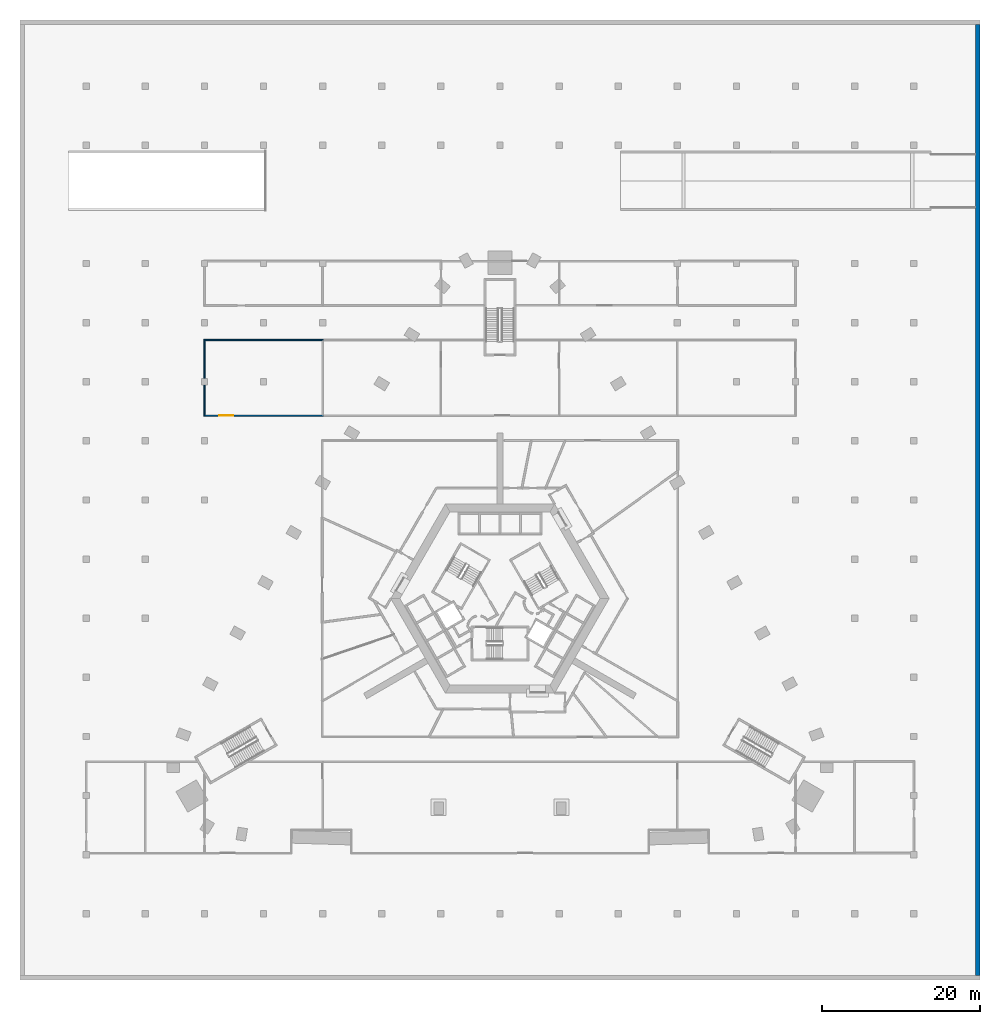
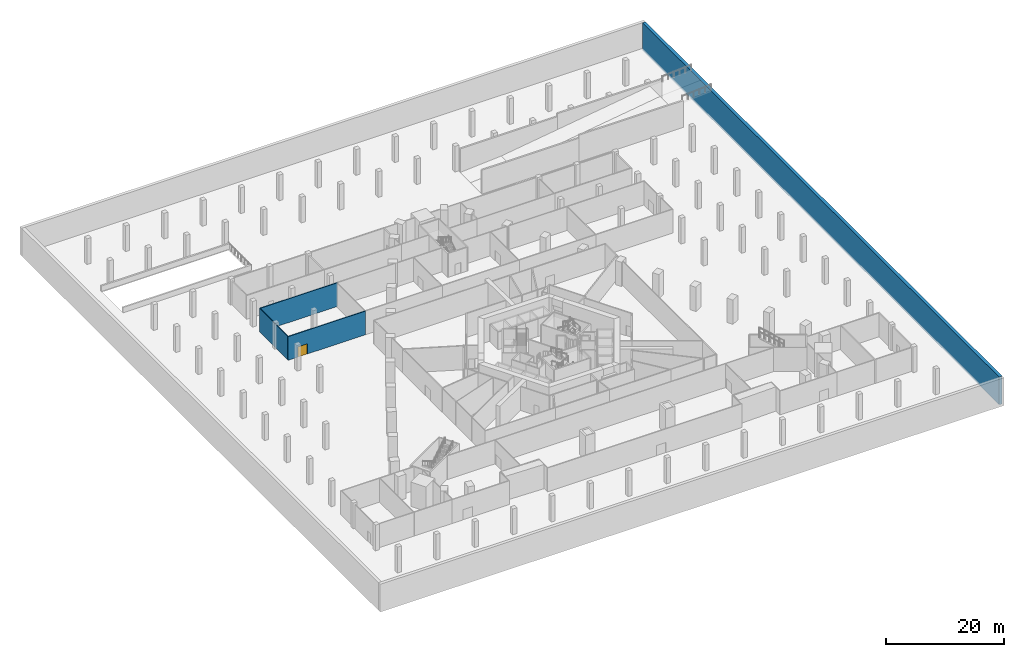
# One storey, part 10 of 20: 4 walls, 1 door, 1 opening.
"""IFC4 building model written with IfcOpenShell, lengths in metres."""

from ifc_helpers import new_model, si_unit, direction, frame, frame_2d, origin, place, context, subcontext, project, spatial, polyline, rectangle, outline, extrude, material, layer, layer_set, type_object, element, fill, save


model = new_model("IFC4")

# Units and contexts
model_context = context("Model", 3, precision=1e-05, world=origin(), true_north=direction((0.0, 1.0)))
body_context = subcontext(model_context, "Body", "Model", "MODEL_VIEW")
ifc_project = project(units=[si_unit("LENGTHUNIT", "METRE"), si_unit("AREAUNIT", "SQUARE_METRE"), si_unit("VOLUMEUNIT", "CUBIC_METRE"), si_unit("PLANEANGLEUNIT", "RADIAN"), si_unit("MASSUNIT", "GRAM", prefix="KILO")], contexts=[model_context])

# Site, building, storey
site_placement = place(None, origin())
site = spatial("IfcSite", under=ifc_project, at=site_placement, CompositionType="ELEMENT")
building_placement = place(site_placement, origin())
building = spatial("IfcBuilding", under=site, at=building_placement, Name="Entoto Arch Interchange Tower", CompositionType="ELEMENT")
storey_placement = place(building_placement, frame((0.0, 0.0, -5.5)))
storey = spatial("IfcBuildingStorey", under=building, at=storey_placement, Name="B1", CompositionType="ELEMENT", Elevation=-5.5)

# Walls
ifc_material_1 = material(Name="Concrete C40/50", Category="concrete")
ifc_layer_1 = layer(ifc_material_1, 0.60009765625)
ifc_layer_set_1 = layer_set([ifc_layer_1], Name="Concrete C40/50")
wall_type_1 = type_object("IfcWallType", Name="Basement retaining wall 600 C40/50", PredefinedType="SOLIDWALL", material=ifc_layer_set_1)
wall_1_placement = place(storey_placement, frame((0.0, 0.0, -0.419921875)))
element("IfcWall", 1, at=wall_1_placement, inside=storey, type_object=wall_type_1, Name="Retaining wall B1", PredefinedType="SOLIDWALL", context=body_context, shape_type="SweptSolid", body=[
    extrude(outline(polyline([(60.89990234375, -45.300048828125), (60.89990234375, 75.300048828125), (60.300048828125, 75.300048828125), (60.300048828125, -45.300048828125), (60.89990234375, -45.300048828125)])), origin(), (0.0, 0.0, 1.0), 5.719970703125),
])
ifc_material_2 = material(Name="Gypsum board partition on steel studs", Category="steel")
ifc_layer_2 = layer(ifc_material_2, 0.14990234375)
ifc_layer_set_2 = layer_set([ifc_layer_2], Name="Gypsum board partition on steel studs")
wall_type_2 = type_object("IfcWallType", Name="PARTITION 150", PredefinedType="PARTITIONING", material=ifc_layer_set_2)
wall_2_placement = place(storey_placement, frame((-37.574951171875, 35.300048828125, 0.0), z_axis=(0.0, 0.0, 1.0), x_axis=(1.0, 0.0, 0.0)))
element("IfcWall", 2, at=wall_2_placement, inside=storey, type_object=wall_type_2, Name="wall:B1:p077", PredefinedType="PARTITIONING", context=body_context, shape_type="SweptSolid", body=[
    extrude(rectangle(XDim=15.14990234375, YDim=0.14990234375, at=frame_2d((7.574951171875, 0.0))), origin(), (0.0, 0.0, 1.0), 4.89990234375),
])

# Wall, opening, door
wall_3_placement = place(storey_placement, frame((-22.425048828125, 25.699951171875, 0.0), z_axis=(0.0, 0.0, 1.0), x_axis=(-1.0, 0.0, 0.0)))
wall_3 = element("IfcWall", 3, at=wall_3_placement, inside=storey, type_object=wall_type_2, Name="wall:B1:p078", PredefinedType="PARTITIONING", context=body_context, shape_type="SweptSolid", body=[
    extrude(rectangle(XDim=15.14990234375, YDim=0.14990234375, at=frame_2d((7.574951171875, 0.0))), origin(), (0.0, 0.0, 1.0), 4.89990234375),
])
opening_placement = place(wall_3_placement, frame((11.405029296875, 0.0, 0.0)))
opening = element("IfcOpeningElement", 4, at=opening_placement, cuts=wall_3, Name="Opening B1-D29", PredefinedType="OPENING", context=body_context, shape_type="SweptSolid", body=[
    extrude(rectangle(XDim=1.800048828125, YDim=2.10009765625, at=frame_2d((0.89990234375, 1.050048828125))), frame((0.0, 0.0849609375, 0.0), z_axis=(0.0, -1.0, 0.0), x_axis=(1.0, 0.0, 0.0)), (0.0, 0.0, 1.0), 0.169921875),
])
ifc_material_3 = material(Name="Timber door leaf in Steel S235 frame", Category="steel")
door_type = type_object("IfcDoorType", Name="DOOR DD-18 1800x2100", OperationType="DOUBLE_DOOR_SINGLE_SWING", PredefinedType="DOOR", material=ifc_material_3)
door_placement = place(opening_placement, origin())
door = element("IfcDoor", 5, at=door_placement, inside=storey, type_object=door_type, Name="door:B1:29", OperationType="DOUBLE_DOOR_SINGLE_SWING", OverallHeight=2.10009765625, OverallWidth=1.800048828125, PredefinedType="DOOR", context=body_context, shape_type="SweptSolid", body=[
    extrude(rectangle(XDim=1.800048828125, YDim=2.10009765625, at=frame_2d((0.89990234375, 1.050048828125))), frame((0.0, 0.02490234375, 0.0), z_axis=(0.0, -1.0, 0.0), x_axis=(1.0, 0.0, 0.0)), (0.0, 0.0, 1.0), 0.050048828125),
])
fill(opening, door)

# Wall
wall_4_placement = place(storey_placement, frame((-37.5, 25.77490234375, 0.0), z_axis=(0.0, 0.0, 1.0), x_axis=(0.0, 1.0, 0.0)))
element("IfcWall", 6, at=wall_4_placement, inside=storey, type_object=wall_type_2, Name="wall:B1:p079", PredefinedType="PARTITIONING", context=body_context, shape_type="SweptSolid", body=[
    extrude(rectangle(XDim=9.4501953125, YDim=0.14990234375, at=frame_2d((4.72509765625, 0.0))), origin(), (0.0, 0.0, 1.0), 4.89990234375),
])

save(model, "model.ifc")
